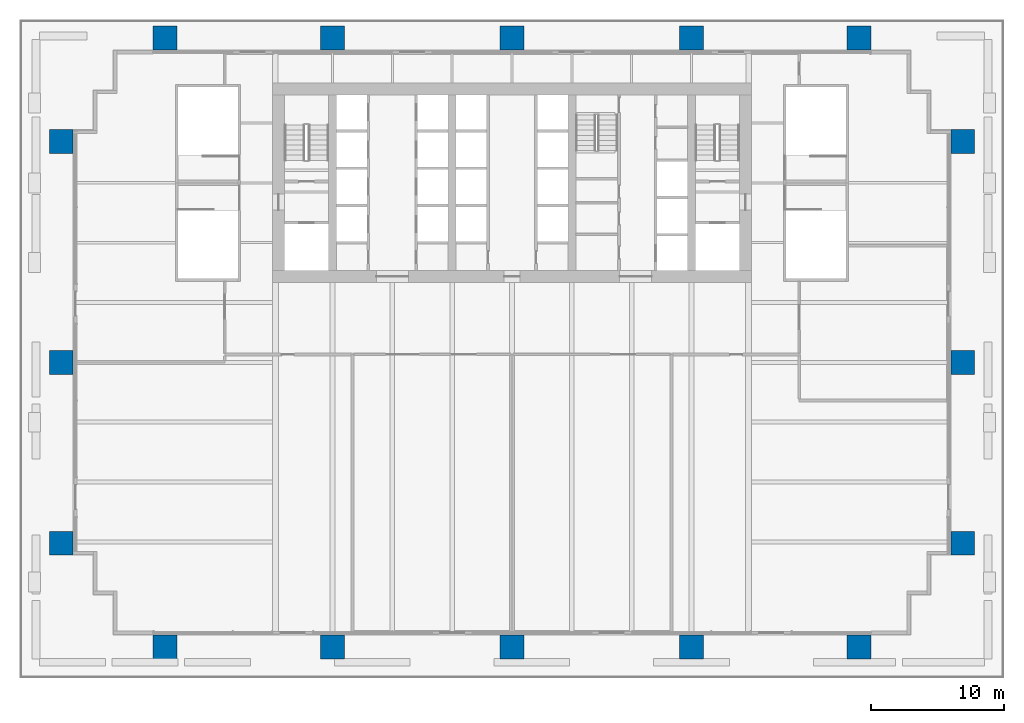
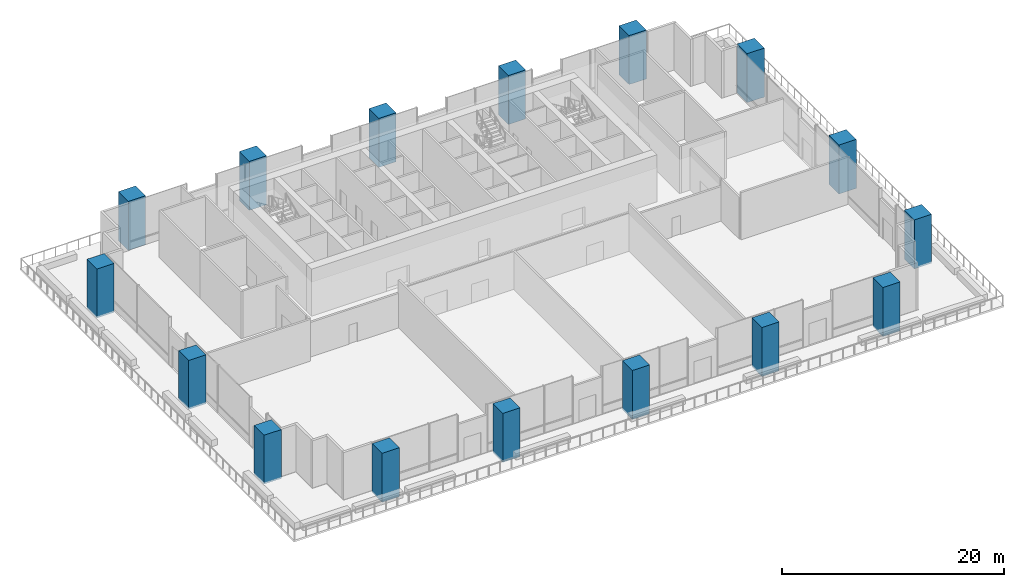
# One storey, part 1 of 16: 16 columns.
"""IFC4 building model written with IfcOpenShell, lengths in metres."""

from ifc_helpers import new_model, si_unit, direction, frame, origin, origin_2d, place, context, subcontext, project, spatial, rectangle, extrude, material, material_profile, profile_set, type_object, element, save


model = new_model("IFC4")

# Units and contexts
model_context = context("Model", 3, precision=1e-05, world=origin(), true_north=direction((0.0, 1.0)))
body_context = subcontext(model_context, "Body", "Model", "MODEL_VIEW")
ifc_project = project(units=[si_unit("LENGTHUNIT", "METRE"), si_unit("AREAUNIT", "SQUARE_METRE"), si_unit("VOLUMEUNIT", "CUBIC_METRE"), si_unit("PLANEANGLEUNIT", "RADIAN"), si_unit("MASSUNIT", "GRAM", prefix="KILO")], contexts=[model_context])

# Site, building, storey
site_placement = place(None, origin())
site = spatial("IfcSite", under=ifc_project, at=site_placement, CompositionType="ELEMENT")
building_placement = place(site_placement, origin())
building = spatial("IfcBuilding", under=site, at=building_placement, Name="Rattan Terrace Tower", CompositionType="ELEMENT")
storey_placement = place(building_placement, frame((0.0, 0.0, 27.0)))
storey = spatial("IfcBuildingStorey", under=building, at=storey_placement, Name="L05", CompositionType="ELEMENT", Elevation=27.0)

# Columns
ifc_material = material(Name="Concrete C60/75", Category="concrete")
ifc_material_profile = material_profile(ifc_material, rectangle(XDim=1.800048828125, YDim=1.800048828125, at=origin_2d()), Name="CFT 1800x1800")
ifc_profile_set = profile_set([ifc_material_profile], Name="Concrete C60/75")
column_type = type_object("IfcColumnType", Name="Frame exoskeleton column CFT 1800x1800", PredefinedType="COLUMN", material=ifc_profile_set)
for number, where, z_axis, x_axis, name in (
    (1, (-26.10009765625, -34.89990234375, -0.199951171875), (0.0, 0.0, 1.0), (1.0, 0.0, 0.0), "exo-L05-001"),
    (2, (-13.5, -34.89990234375, -0.199951171875), (0.0, 0.0, 1.0), (1.0, 0.0, 0.0), "exo-L05-002"),
    (3, (0.0, -34.89990234375, -0.199951171875), (0.0, 0.0, 1.0), (1.0, 0.0, 0.0), "exo-L05-003"),
    (4, (13.5, -34.89990234375, -0.199951171875), (0.0, 0.0, 1.0), (1.0, 0.0, 0.0), "exo-L05-004"),
    (5, (26.10009765625, -34.89990234375, -0.199951171875), (0.0, 0.0, 1.0), (1.0, 0.0, 0.0), "exo-L05-005"),
    (6, (-33.89990234375, -27.10009765625, -0.199951171875), (0.0, 0.0, 1.0), (0.0, 1.0, 0.0), "exo-L05-006"),
    (7, (33.89990234375, -27.10009765625, -0.199951171875), (0.0, 0.0, 1.0), (0.0, 1.0, 0.0), "exo-L05-007"),
    (8, (-33.89990234375, -13.5, -0.199951171875), (0.0, 0.0, 1.0), (0.0, 1.0, 0.0), "exo-L05-008"),
    (9, (33.89990234375, -13.5, -0.199951171875), (0.0, 0.0, 1.0), (0.0, 1.0, 0.0), "exo-L05-009"),
    (10, (-33.89990234375, 3.10009765625, -0.199951171875), (0.0, 0.0, 1.0), (0.0, 1.0, 0.0), "exo-L05-010"),
    (11, (33.89990234375, 3.10009765625, -0.199951171875), (0.0, 0.0, 1.0), (0.0, 1.0, 0.0), "exo-L05-011"),
    (12, (-26.10009765625, 10.89990234375, -0.199951171875), (0.0, 0.0, 1.0), (1.0, 0.0, 0.0), "exo-L05-012"),
    (13, (-13.5, 10.89990234375, -0.199951171875), (0.0, 0.0, 1.0), (1.0, 0.0, 0.0), "exo-L05-013"),
    (14, (0.0, 10.89990234375, -0.199951171875), (0.0, 0.0, 1.0), (1.0, 0.0, 0.0), "exo-L05-014"),
    (15, (13.5, 10.89990234375, -0.199951171875), (0.0, 0.0, 1.0), (1.0, 0.0, 0.0), "exo-L05-015"),
    (16, (26.10009765625, 10.89990234375, -0.199951171875), (0.0, 0.0, 1.0), (1.0, 0.0, 0.0), "exo-L05-016"),
):
    element("IfcColumn", number, at=place(storey_placement, frame(where, z_axis=z_axis, x_axis=x_axis)), inside=storey, type_object=column_type, Name=name, PredefinedType="COLUMN", context=body_context, shape_type="SweptSolid", body=[
        extrude(rectangle(XDim=1.800048828125, YDim=1.800048828125, at=origin_2d()), origin(), (0.0, 0.0, 1.0), 5.39990234375),
    ])

save(model, "model.ifc")
